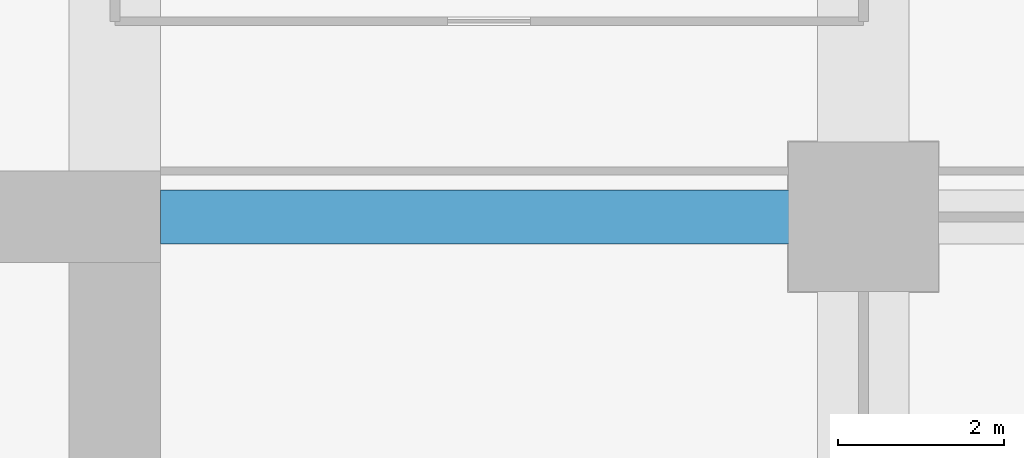
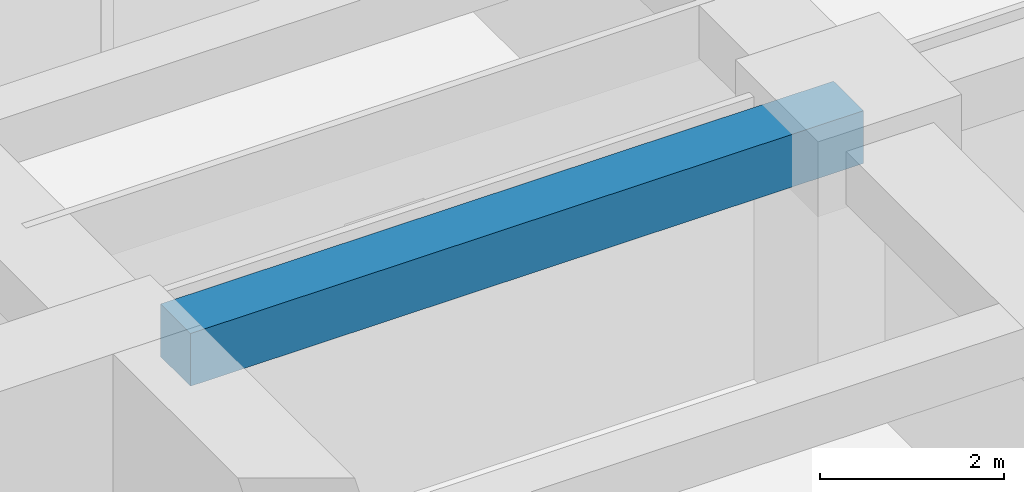
# One storey, part 31 of 40: 1 beam.
"""IFC4 building model written with IfcOpenShell, lengths in metres."""

from ifc_helpers import new_model, si_unit, direction, frame, origin, origin_2d, place, context, subcontext, project, spatial, rectangle, extrude, material, material_profile, profile_set, type_object, element, save


model = new_model("IFC4")

# Units and contexts
model_context = context("Model", 3, precision=1e-05, world=origin(), true_north=direction((0.0, 1.0)))
body_context = subcontext(model_context, "Body", "Model", "MODEL_VIEW")
ifc_project = project(units=[si_unit("LENGTHUNIT", "METRE"), si_unit("AREAUNIT", "SQUARE_METRE"), si_unit("VOLUMEUNIT", "CUBIC_METRE"), si_unit("PLANEANGLEUNIT", "RADIAN"), si_unit("MASSUNIT", "GRAM", prefix="KILO")], contexts=[model_context])

# Site, building, storey
site_placement = place(None, origin())
site = spatial("IfcSite", under=ifc_project, at=site_placement, CompositionType="ELEMENT")
building_placement = place(site_placement, origin())
building = spatial("IfcBuilding", under=site, at=building_placement, Name="Zorevar Civic Tower", CompositionType="ELEMENT")
storey_placement = place(building_placement, frame((0.0, 0.0, 133.0)))
storey = spatial("IfcBuildingStorey", under=building, at=storey_placement, Name="L32", CompositionType="ELEMENT", Elevation=133.0)

# Beam
ifc_material = material(Name="Concrete C50/60", Category="concrete")
ifc_material_profile = material_profile(ifc_material, rectangle(XDim=0.64990234375, YDim=0.699951171875, at=origin_2d()), Name="RC 650x700")
ifc_profile_set = profile_set([ifc_material_profile], Name="Concrete C50/60")
beam_type = type_object("IfcBeamType", Name="Beam RC 650x700", PredefinedType="BEAM", material=ifc_profile_set)
beam_placement = place(storey_placement, frame((45.550048828125, 36.0, 3.39990234375), z_axis=(1.0, 0.0, 0.0), x_axis=(0.0, 1.0, 0.0)))
element("IfcBeam", 1, at=beam_placement, inside=storey, type_object=beam_type, Name="Girder L33", PredefinedType="BEAM", context=body_context, shape_type="SweptSolid", body=[
    extrude(rectangle(XDim=0.64990234375, YDim=0.699951171875, at=origin_2d()), origin(), (0.0, 0.0, 1.0), 8.449951171875),
])

save(model, "model.ifc")
